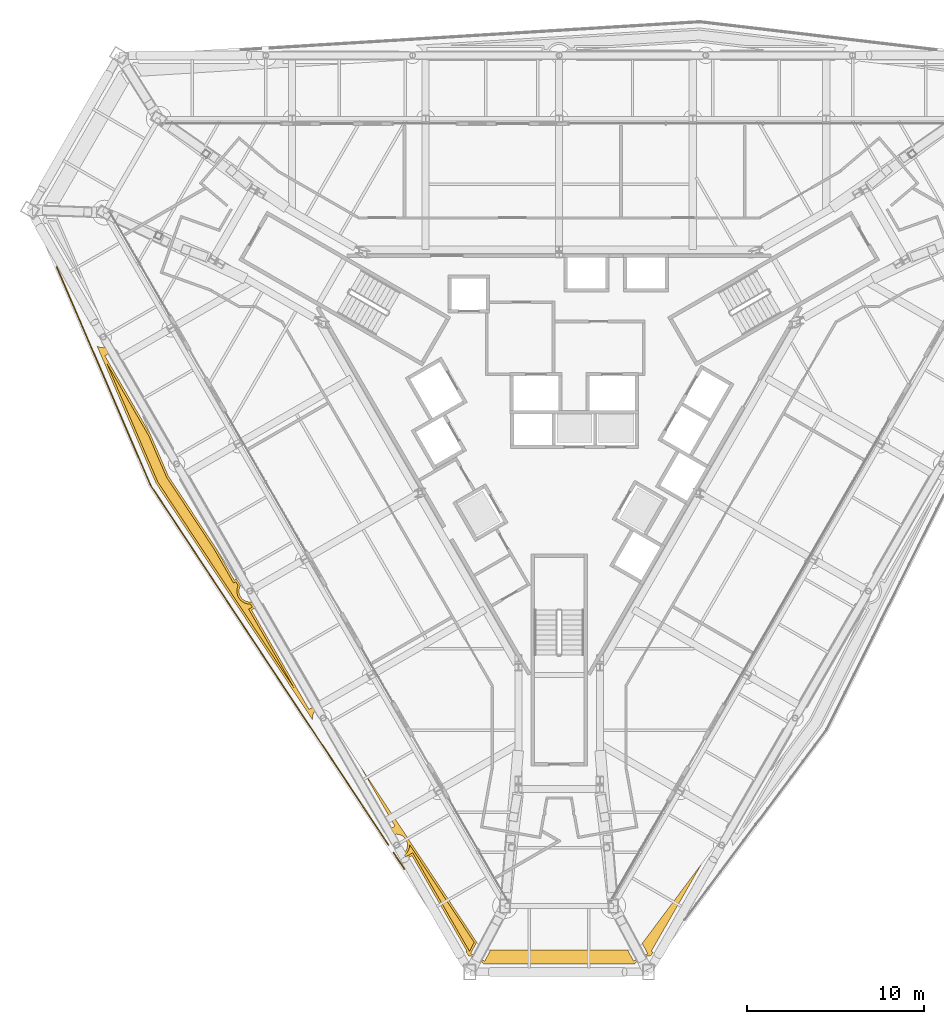
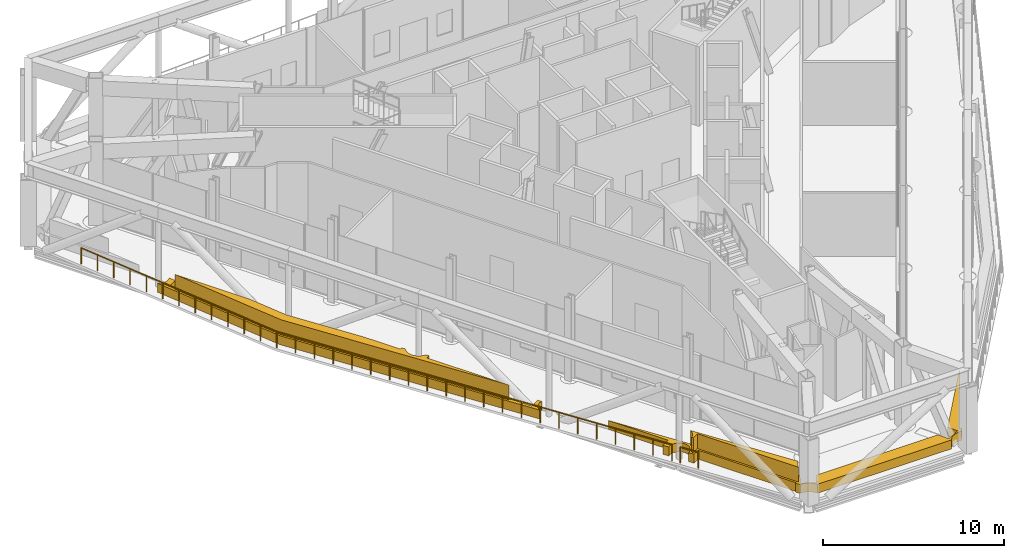
# One storey, part 20 of 25: 4 coverings, 2 railings.
"""IFC4 building model written with IfcOpenShell, lengths in metres."""

from ifc_helpers import new_model, si_unit, direction, frame, origin, origin_2d, place, context, subcontext, project, spatial, polyline, circle, outline, extrude, material, type_object, element, save


model = new_model("IFC4")

# Units and contexts
model_context = context("Model", 3, precision=1e-05, world=origin(), true_north=direction((0.0, 1.0)))
body_context = subcontext(model_context, "Body", "Model", "MODEL_VIEW")
ifc_project = project(units=[si_unit("LENGTHUNIT", "METRE"), si_unit("AREAUNIT", "SQUARE_METRE"), si_unit("VOLUMEUNIT", "CUBIC_METRE"), si_unit("PLANEANGLEUNIT", "RADIAN"), si_unit("MASSUNIT", "GRAM", prefix="KILO")], contexts=[model_context])

# Site, building, storey
site_placement = place(None, origin())
site = spatial("IfcSite", under=ifc_project, at=site_placement, CompositionType="ELEMENT")
building_placement = place(site_placement, origin())
building = spatial("IfcBuilding", under=site, at=building_placement, Name="Verrane Prism Tower", CompositionType="ELEMENT")
storey_placement = place(building_placement, frame((0.0, 0.0, 143.199951171875)))
storey = spatial("IfcBuildingStorey", under=building, at=storey_placement, Name="L35", CompositionType="ELEMENT", Elevation=143.199951171875)

# Coverings
ifc_material_1 = material(Name="Planting medium in stone kerb", Category="masonry")
covering_type_1 = type_object("IfcCoveringType", Name="Planter bed 600", PredefinedType="USERDEFINED", material=ifc_material_1)
covering_1_placement = place(storey_placement, origin())
element("IfcCovering", 1, at=covering_1_placement, inside=storey, type_object=covering_type_1, Name="Planter bed L35 4", ObjectType="PLANTER", PredefinedType="USERDEFINED", context=body_context, shape_type="SweptSolid", body=[
    extrude(outline(polyline([(4.272705078125, -31.188232421875), (4.3017578125, -31.139892578125), (4.354248046875, -31.069091796875), (4.41357421875, -31.003662109375), (4.47900390625, -30.9443359375), (4.550048828125, -30.8916015625), (4.625732421875, -30.84619140625), (4.70556640625, -30.80859375), (4.788818359375, -30.77880859375), (4.87451171875, -30.75732421875), (4.9619140625, -30.744384765625), (5.050048828125, -30.739990234375), (5.13818359375, -30.744384765625), (5.1513671875, -30.746337890625), (5.3173828125, -30.523681640625), (5.2099609375, -30.4619140625), (8.04541015625, -25.54443359375), (8.039306640625, -25.54052734375), (4.695556640625, -30.01953125), (5.00341796875, -30.5966796875), (4.20947265625, -31.020263671875), (3.872314453125, -30.38818359375), (-3.872314453125, -30.38818359375), (-4.20947265625, -31.020263671875), (-5.00341796875, -30.5966796875), (-4.661376953125, -29.95556640625), (-11.17626953125, -20.107177734375), (-11.18359375, -20.111572265625), (-9.2880859375, -23.39111328125), (-9.776611328125, -23.67333984375), (-9.572509765625, -23.98193359375), (-9.5302734375, -23.95068359375), (-9.478759765625, -23.919921875), (-9.42431640625, -23.89404296875), (-9.367919921875, -23.873779296875), (-9.3095703125, -23.859130859375), (-9.25, -23.850341796875), (-9.18994140625, -23.847412109375), (-9.1298828125, -23.850341796875), (-9.070556640625, -23.859130859375), (-9.01220703125, -23.873779296875), (-8.95556640625, -23.89404296875), (-8.901123046875, -23.919921875), (-8.849609375, -23.95068359375), (-8.801513671875, -23.986572265625), (-8.7568359375, -24.02685546875), (-8.716552734375, -24.0712890625), (-8.6806640625, -24.11962890625), (-8.64990234375, -24.171142578125), (-8.6240234375, -24.2255859375), (-8.603759765625, -24.2822265625), (-8.589111328125, -24.340576171875), (-8.580322265625, -24.39990234375), (-8.577392578125, -24.4599609375), (-8.580322265625, -24.52001953125), (-8.589111328125, -24.57958984375), (-8.603759765625, -24.6376953125), (-8.6240234375, -24.6943359375), (-8.64990234375, -24.748779296875), (-8.6806640625, -24.80029296875), (-8.716552734375, -24.8486328125), (-8.7568359375, -24.89306640625), (-8.801513671875, -24.93359375), (-8.849609375, -24.96923828125), (-8.8994140625, -24.9990234375), (-8.710693359375, -25.2841796875), (-8.323974609375, -25.061279296875), (-5.2099609375, -30.4619140625), (-5.264892578125, -30.493408203125), (-5.10009765625, -30.742431640625), (-5.050048828125, -30.739990234375), (-4.9619140625, -30.744384765625), (-4.87451171875, -30.75732421875), (-4.788818359375, -30.77880859375), (-4.70556640625, -30.80859375), (-4.625732421875, -30.84619140625), (-4.550048828125, -30.8916015625), (-4.47900390625, -30.9443359375), (-4.41357421875, -31.003662109375), (-4.354248046875, -31.069091796875), (-4.3017578125, -31.139892578125), (-4.272705078125, -31.188232421875), (4.272705078125, -31.188232421875)])), origin(), (0.0, 0.0, 1.0), 0.60009765625),
])
covering_2_placement = place(storey_placement, origin())
element("IfcCovering", 2, at=covering_2_placement, inside=storey, type_object=covering_type_1, Name="Planter bed L35 6", ObjectType="PLANTER", PredefinedType="USERDEFINED", context=body_context, shape_type="SweptSolid", body=[
    extrude(outline(polyline([(-22.7998046875, -3.986328125), (-13.94482421875, -17.3720703125), (-13.94970703125, -17.340087890625), (-13.95263671875, -17.280029296875), (-13.94970703125, -17.219970703125), (-13.94091796875, -17.160400390625), (-13.92626953125, -17.102294921875), (-13.906005859375, -17.045654296875), (-13.880126953125, -16.9912109375), (-13.849365234375, -16.939697265625), (-13.8134765625, -16.891357421875), (-13.773193359375, -16.846923828125), (-13.728515625, -16.806396484375), (-13.680419921875, -16.770751953125), (-13.62890625, -16.73974609375), (-13.574462890625, -16.714111328125), (-13.517822265625, -16.69384765625), (-13.45947265625, -16.67919921875), (-13.4453125, -16.677001953125), (-13.585693359375, -16.465087890625), (-14.144287109375, -16.787841796875), (-17.391845703125, -11.1689453125), (-17.1728515625, -11.04248046875), (-17.396240234375, -10.70458984375), (-17.429931640625, -10.709716796875), (-17.489990234375, -10.712646484375), (-17.550048828125, -10.709716796875), (-17.609619140625, -10.70068359375), (-17.667724609375, -10.686279296875), (-17.724365234375, -10.666015625), (-17.77880859375, -10.64013671875), (-17.830322265625, -10.609375), (-17.878662109375, -10.573486328125), (-17.923095703125, -10.533203125), (-17.96337890625, -10.488525390625), (-17.999267578125, -10.440185546875), (-18.0302734375, -10.388916015625), (-18.055908203125, -10.33447265625), (-18.076171875, -10.27783203125), (-18.0908203125, -10.219482421875), (-18.099609375, -10.159912109375), (-18.1025390625, -10.10009765625), (-18.099609375, -10.0400390625), (-18.0908203125, -9.98046875), (-18.076171875, -9.922119140625), (-18.055908203125, -9.865478515625), (-18.0302734375, -9.811279296875), (-18.009765625, -9.777099609375), (-18.250732421875, -9.4130859375), (-18.366455078125, -9.4794921875), (-19.43994140625, -7.615234375), (-22.093017578125, -3.604736328125), (-23.093017578125, -1.278076171875), (-25.681884765625, 3.200927734375), (-25.150146484375, 3.50830078125), (-25.30908203125, 3.87841796875), (-25.346923828125, 3.8369140625), (-25.391357421875, 3.79638671875), (-25.439697265625, 3.7607421875), (-25.4912109375, 3.729736328125), (-25.545654296875, 3.7041015625), (-25.602294921875, 3.683837890625), (-25.660400390625, 3.669189453125), (-25.719970703125, 3.660400390625), (-25.780029296875, 3.657470703125), (-25.840087890625, 3.660400390625), (-25.8994140625, 3.669189453125), (-25.957763671875, 3.683837890625), (-26.014404296875, 3.7041015625), (-26.06884765625, 3.729736328125), (-26.13232421875, 3.767822265625), (-22.7998046875, -3.986328125)])), origin(), (0.0, 0.0, 1.0), 0.60009765625),
])
ifc_material_2 = material(Name="Planted shrubs and grasses", Category="other")
covering_type_2 = type_object("IfcCoveringType", Name="Planting mass 1000", PredefinedType="USERDEFINED", material=ifc_material_2)
covering_3_placement = place(storey_placement, frame((0.0, 0.0, 0.60009765625)))
element("IfcCovering", 3, at=covering_3_placement, inside=storey, type_object=covering_type_2, Name="Planting L35 4", ObjectType="PLANTING", PredefinedType="USERDEFINED", context=body_context, shape_type="SweptSolid", body=[
    extrude(outline(polyline([(-8.457275390625, -24.4599609375), (-8.460693359375, -24.53173828125), (-8.471435546875, -24.602783203125), (-8.48876953125, -24.672607421875), (-8.51318359375, -24.740478515625), (-8.543701171875, -24.805419921875), (-8.580810546875, -24.8671875), (-8.62353515625, -24.9248046875), (-8.671875, -24.97802734375), (-8.72509765625, -25.0263671875), (-8.7333984375, -25.032470703125), (-8.6728515625, -25.1240234375), (-8.27978515625, -24.897216796875), (-5.0693359375, -30.46533203125), (-4.80078125, -29.962158203125), (-8.45849609375, -24.432861328125), (-8.457275390625, -24.4599609375)])), origin(), (0.0, 0.0, 1.0), 1.0),
])
covering_4_placement = place(storey_placement, frame((0.0, 0.0, 0.60009765625)))
element("IfcCovering", 4, at=covering_4_placement, inside=storey, type_object=covering_type_2, Name="Planting L35 6", ObjectType="PLANTING", PredefinedType="USERDEFINED", context=body_context, shape_type="SweptSolid", body=[
    extrude(outline(polyline([(-22.69384765625, -3.92919921875), (-14.94287109375, -15.64599609375), (-17.555908203125, -11.125), (-17.34326171875, -11.002197265625), (-17.45654296875, -10.8310546875), (-17.489990234375, -10.832763671875), (-17.561767578125, -10.8291015625), (-17.6328125, -10.818603515625), (-17.70263671875, -10.80126953125), (-17.7705078125, -10.77685546875), (-17.83544921875, -10.74609375), (-17.897216796875, -10.709228515625), (-17.954833984375, -10.66650390625), (-18.008056640625, -10.6181640625), (-18.056396484375, -10.564697265625), (-18.09912109375, -10.507080078125), (-18.13623046875, -10.4453125), (-18.1669921875, -10.38037109375), (-18.191162109375, -10.312744140625), (-18.20849609375, -10.242919921875), (-18.21923828125, -10.171875), (-18.22265625, -10.10009765625), (-18.21923828125, -10.0283203125), (-18.20849609375, -9.95703125), (-18.191162109375, -9.88720703125), (-18.1669921875, -9.819580078125), (-18.149658203125, -9.783203125), (-18.28857421875, -9.5732421875), (-18.41064453125, -9.6435546875), (-19.5419921875, -7.678466796875), (-22.19921875, -3.662109375), (-23.200439453125, -1.33203125), (-25.577392578125, 2.780517578125), (-22.69384765625, -3.92919921875)])), origin(), (0.0, 0.0, 1.0), 1.0),
])

# Railings
ifc_material_3 = material(Name="Stainless steel and laminated glass", Category="steel")
railing_type = type_object("IfcRailingType", Name="Terrace guard 1100", PredefinedType="GUARDRAIL", material=ifc_material_3)
railing_1_placement = place(storey_placement, frame((-28.408203125, 8.2275390625, 0.0)))
element("IfcRailing", 5, at=railing_1_placement, inside=storey, type_object=railing_type, Name="Terrace guard L35 3", PredefinedType="GUARDRAIL", context=body_context, shape_type="SweptSolid", body=[
    extrude(circle(Radius=0.02392578125, at=origin_2d()), frame((0.0, 0.0, 1.076171875), z_axis=(0.394853458564, -0.918744113592, 0.0), x_axis=(0.918744113592, 0.394853458564, 0.0)), (0.0, 0.0, 1.0), 13.465576171875),
    extrude(circle(Radius=0.02392578125, at=origin_2d()), frame((5.31689453125, -12.371337890625, 1.076171875), z_axis=(0.551724406955, -0.834026485653, 0.0), x_axis=(0.834026485653, 0.551724406955, 0.0)), (0.0, 0.0, 1.0), 24.357666015625),
    extrude(circle(Radius=0.02099609375, at=origin_2d()), origin(), (0.0, 0.0, 1.0), 1.052001953125),
    extrude(circle(Radius=0.02099609375, at=origin_2d()), frame((0.443115234375, -1.031005859375, 0.0)), (0.0, 0.0, 1.0), 1.052001953125),
    extrude(circle(Radius=0.02099609375, at=origin_2d()), frame((0.88623046875, -2.06201171875, 0.0)), (0.0, 0.0, 1.0), 1.052001953125),
    extrude(circle(Radius=0.02099609375, at=origin_2d()), frame((1.3291015625, -3.0927734375, 0.0)), (0.0, 0.0, 1.0), 1.052001953125),
    extrude(circle(Radius=0.02099609375, at=origin_2d()), frame((1.772216796875, -4.123779296875, 0.0)), (0.0, 0.0, 1.0), 1.052001953125),
    extrude(circle(Radius=0.02099609375, at=origin_2d()), frame((2.21533203125, -5.15478515625, 0.0)), (0.0, 0.0, 1.0), 1.052001953125),
    extrude(circle(Radius=0.02099609375, at=origin_2d()), frame((2.658447265625, -6.185546875, 0.0)), (0.0, 0.0, 1.0), 1.052001953125),
    extrude(circle(Radius=0.02099609375, at=origin_2d()), frame((3.1015625, -7.216552734375, 0.0)), (0.0, 0.0, 1.0), 1.052001953125),
    extrude(circle(Radius=0.02099609375, at=origin_2d()), frame((3.544677734375, -8.24755859375, 0.0)), (0.0, 0.0, 1.0), 1.052001953125),
    extrude(circle(Radius=0.02099609375, at=origin_2d()), frame((3.98779296875, -9.278564453125, 0.0)), (0.0, 0.0, 1.0), 1.052001953125),
    extrude(circle(Radius=0.02099609375, at=origin_2d()), frame((4.4306640625, -10.3095703125, 0.0)), (0.0, 0.0, 1.0), 1.052001953125),
    extrude(circle(Radius=0.02099609375, at=origin_2d()), frame((4.873779296875, -11.34033203125, 0.0)), (0.0, 0.0, 1.0), 1.052001953125),
    extrude(circle(Radius=0.02099609375, at=origin_2d()), frame((5.31689453125, -12.371337890625, 0.0)), (0.0, 0.0, 1.0), 1.052001953125),
    extrude(circle(Radius=0.02099609375, at=origin_2d()), frame((5.956787109375, -13.338623046875, 0.0)), (0.0, 0.0, 1.0), 1.052001953125),
    extrude(circle(Radius=0.02099609375, at=origin_2d()), frame((6.5966796875, -14.30615234375, 0.0)), (0.0, 0.0, 1.0), 1.052001953125),
    extrude(circle(Radius=0.02099609375, at=origin_2d()), frame((7.23681640625, -15.2734375, 0.0)), (0.0, 0.0, 1.0), 1.052001953125),
    extrude(circle(Radius=0.02099609375, at=origin_2d()), frame((7.876708984375, -16.240966796875, 0.0)), (0.0, 0.0, 1.0), 1.052001953125),
    extrude(circle(Radius=0.02099609375, at=origin_2d()), frame((8.5166015625, -17.208251953125, 0.0)), (0.0, 0.0, 1.0), 1.052001953125),
    extrude(circle(Radius=0.02099609375, at=origin_2d()), frame((9.156494140625, -18.175537109375, 0.0)), (0.0, 0.0, 1.0), 1.052001953125),
    extrude(circle(Radius=0.02099609375, at=origin_2d()), frame((9.79638671875, -19.14306640625, 0.0)), (0.0, 0.0, 1.0), 1.052001953125),
    extrude(circle(Radius=0.02099609375, at=origin_2d()), frame((10.4365234375, -20.1103515625, 0.0)), (0.0, 0.0, 1.0), 1.052001953125),
    extrude(circle(Radius=0.02099609375, at=origin_2d()), frame((11.076416015625, -21.07763671875, 0.0)), (0.0, 0.0, 1.0), 1.052001953125),
    extrude(circle(Radius=0.02099609375, at=origin_2d()), frame((11.71630859375, -22.045166015625, 0.0)), (0.0, 0.0, 1.0), 1.052001953125),
    extrude(circle(Radius=0.02099609375, at=origin_2d()), frame((12.356201171875, -23.012451171875, 0.0)), (0.0, 0.0, 1.0), 1.052001953125),
    extrude(circle(Radius=0.02099609375, at=origin_2d()), frame((12.99609375, -23.97998046875, 0.0)), (0.0, 0.0, 1.0), 1.052001953125),
    extrude(circle(Radius=0.02099609375, at=origin_2d()), frame((13.635986328125, -24.947265625, 0.0)), (0.0, 0.0, 1.0), 1.052001953125),
    extrude(circle(Radius=0.02099609375, at=origin_2d()), frame((14.276123046875, -25.91455078125, 0.0)), (0.0, 0.0, 1.0), 1.052001953125),
    extrude(circle(Radius=0.02099609375, at=origin_2d()), frame((14.916015625, -26.882080078125, 0.0)), (0.0, 0.0, 1.0), 1.052001953125),
    extrude(circle(Radius=0.02099609375, at=origin_2d()), frame((15.555908203125, -27.849365234375, 0.0)), (0.0, 0.0, 1.0), 1.052001953125),
    extrude(circle(Radius=0.02099609375, at=origin_2d()), frame((16.19580078125, -28.816650390625, 0.0)), (0.0, 0.0, 1.0), 1.052001953125),
    extrude(circle(Radius=0.02099609375, at=origin_2d()), frame((16.835693359375, -29.7841796875, 0.0)), (0.0, 0.0, 1.0), 1.052001953125),
    extrude(circle(Radius=0.02099609375, at=origin_2d()), frame((17.475830078125, -30.75146484375, 0.0)), (0.0, 0.0, 1.0), 1.052001953125),
    extrude(circle(Radius=0.02099609375, at=origin_2d()), frame((18.11572265625, -31.718994140625, 0.0)), (0.0, 0.0, 1.0), 1.052001953125),
    extrude(circle(Radius=0.02099609375, at=origin_2d()), frame((18.755615234375, -32.686279296875, 0.0)), (0.0, 0.0, 1.0), 1.052001953125),
])
railing_2_placement = place(storey_placement, frame((-9.369873046875, -24.885986328125, 0.0)))
element("IfcRailing", 6, at=railing_2_placement, inside=storey, type_object=railing_type, Name="Terrace guard L35 4", PredefinedType="GUARDRAIL", context=body_context, shape_type="SweptSolid", body=[
    extrude(circle(Radius=0.02392578125, at=origin_2d()), frame((0.0, 0.0, 1.076171875), z_axis=(0.551625958181, -0.834091603039, 0.0), x_axis=(0.834091603039, 0.551625958181, 0.0)), (0.0, 0.0, 1.0), 1.119384765625),
    extrude(circle(Radius=0.02099609375, at=origin_2d()), origin(), (0.0, 0.0, 1.0), 1.052001953125),
    extrude(circle(Radius=0.02099609375, at=origin_2d()), frame((0.617431640625, -0.93359375, 0.0)), (0.0, 0.0, 1.0), 1.052001953125),
])

save(model, "model.ifc")
